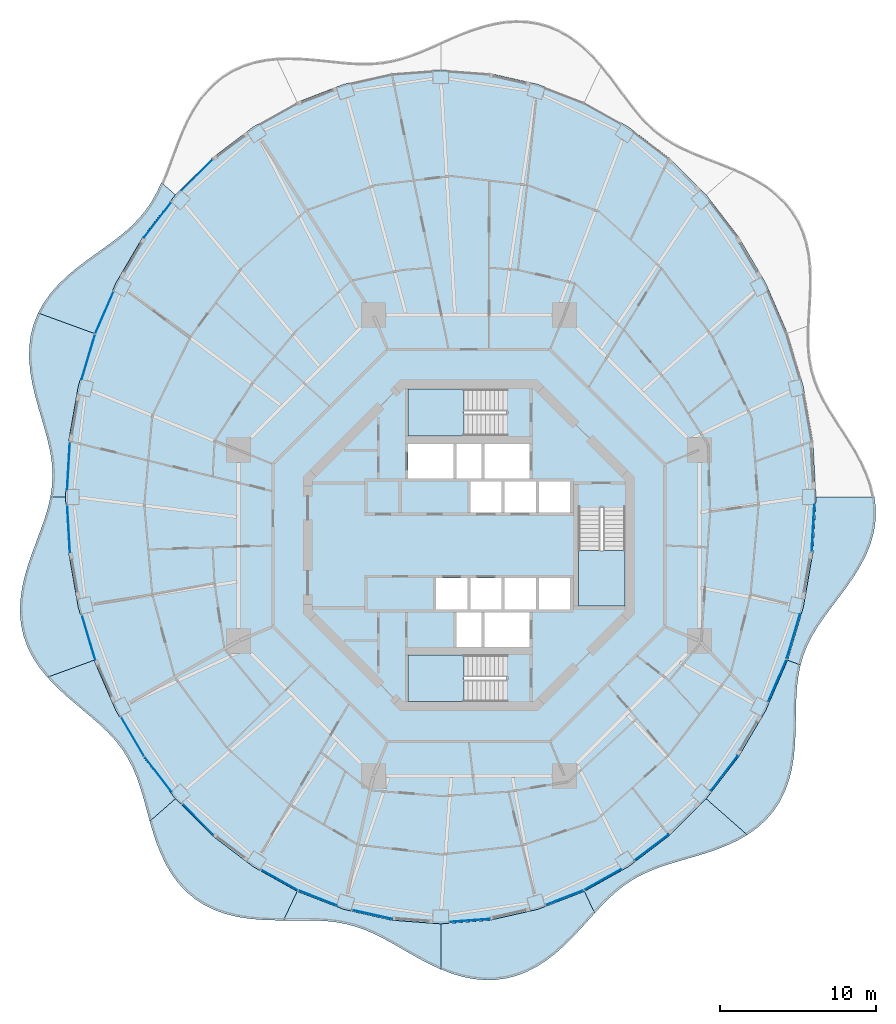
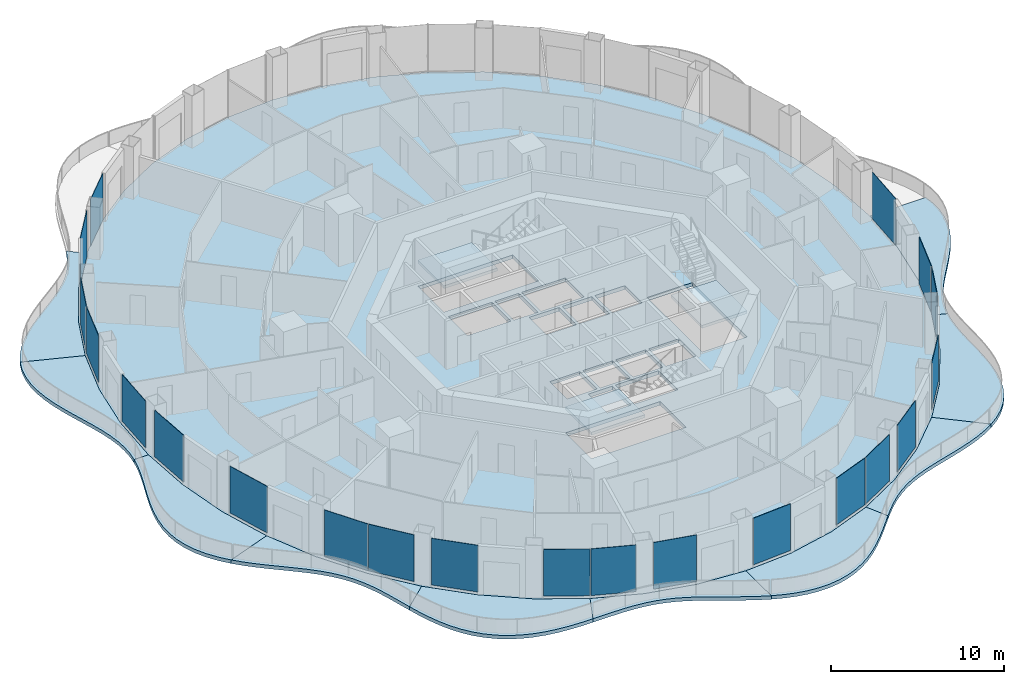
# One storey, part 8 of 18: 21 plates, 14 slabs, 24 elements without a shape of their own.
"""IFC4 building model written with IfcOpenShell, lengths in metres."""

from ifc_helpers import new_model, si_unit, direction, frame, origin, origin_2d, place, context, subcontext, project, spatial, polyline, rectangle, outline, extrude, material, layer, layer_set, type_object, element, aggregate, save


model = new_model("IFC4")

# Units and contexts
model_context = context("Model", 3, precision=1e-05, world=origin(), true_north=direction((0.0, 1.0)))
body_context = subcontext(model_context, "Body", "Model", "MODEL_VIEW")
ifc_project = project(units=[si_unit("LENGTHUNIT", "METRE"), si_unit("AREAUNIT", "SQUARE_METRE"), si_unit("VOLUMEUNIT", "CUBIC_METRE"), si_unit("PLANEANGLEUNIT", "RADIAN"), si_unit("MASSUNIT", "GRAM", prefix="KILO")], contexts=[model_context])

# Site, building, storey
site_placement = place(None, origin())
site = spatial("IfcSite", under=ifc_project, at=site_placement, CompositionType="ELEMENT")
building_placement = place(site_placement, origin())
building = spatial("IfcBuilding", under=site, at=building_placement, Name="Nagisa Residences", CompositionType="ELEMENT")
storey_placement = place(building_placement, frame((0.0, 0.0, 241.800048828125)))
storey = spatial("IfcBuildingStorey", under=building, at=storey_placement, Name="L61", CompositionType="ELEMENT", Elevation=241.800048828125)

# Slabs
ifc_material_1 = material(Name="Concrete C40/50", Category="concrete")
ifc_layer_1 = layer(ifc_material_1, 0.25)
ifc_layer_set_1 = layer_set([ifc_layer_1], Name="BALCONY SLAB 250")
slab_type_1 = type_object("IfcSlabType", Name="BALCONY SLAB 250", PredefinedType="FLOOR", material=ifc_layer_set_1)
slab_1_placement = place(storey_placement, frame((0.0, 0.0, -0.25)))
element("IfcSlab", 1, at=slab_1_placement, inside=storey, type_object=slab_type_1, Name="slab:L61:bal06", PredefinedType="FLOOR", context=body_context, shape_type="SweptSolid", body=[
    extrude(outline(polyline([(-19.71728515625, 23.273681640625), (-20.015869140625, 22.640625), (-20.349365234375, 22.046875), (-20.725830078125, 21.4921875), (-21.150146484375, 20.97412109375), (-21.623779296875, 20.48779296875), (-22.145263671875, 20.026123046875), (-22.708984375, 19.580322265625), (-23.306396484375, 19.141357421875), (-23.925537109375, 18.69921875), (-24.552978515625, 18.244873046875), (-25.173095703125, 17.76953125), (-25.769775390625, 17.266845703125), (-26.326904296875, 16.731201171875), (-26.829833984375, 16.159423828125), (-27.265869140625, 15.55029296875), (-27.624267578125, 14.90478515625), (-24.037841796875, 13.599365234375), (-22.645263671875, 16.812744140625), (-20.89599609375, 19.791748046875), (-18.820068359375, 22.4853515625), (-19.71728515625, 23.273681640625)])), origin(), (0.0, 0.0, 1.0), 0.25),
])
slab_2_placement = place(storey_placement, frame((0.0, 0.0, -0.25)))
element("IfcSlab", 2, at=slab_2_placement, inside=storey, type_object=slab_type_1, Name="slab:L61:bal07", PredefinedType="FLOOR", context=body_context, shape_type="SweptSolid", body=[
    extrude(outline(polyline([(-27.624267578125, 14.90478515625), (-27.905517578125, 14.203857421875), (-28.09326171875, 13.47216796875), (-28.188720703125, 12.7158203125), (-28.19677734375, 11.9423828125), (-28.12744140625, 11.158935546875), (-27.99365234375, 10.373291015625), (-27.8115234375, 9.591552734375), (-27.599365234375, 8.819580078125), (-27.3759765625, 8.060791015625), (-27.16064453125, 7.31787109375), (-26.97119140625, 6.59130859375), (-26.82275390625, 5.8798828125), (-26.728271484375, 5.18115234375), (-26.69580078125, 4.49072265625), (-26.7294921875, 3.8046875), (-26.829345703125, 3.11767578125), (-25.8701171875, 3.11767578125), (-25.6640625, 6.69287109375), (-25.0498046875, 10.206787109375), (-24.037841796875, 13.599365234375), (-27.624267578125, 14.90478515625)])), origin(), (0.0, 0.0, 1.0), 0.25),
])
slab_3_placement = place(storey_placement, frame((0.0, 0.0, -0.25)))
element("IfcSlab", 3, at=slab_3_placement, inside=storey, type_object=slab_type_1, Name="slab:L61:bal08", PredefinedType="FLOOR", context=body_context, shape_type="SweptSolid", body=[
    extrude(outline(polyline([(-26.829345703125, 3.11767578125), (-26.989501953125, 2.425048828125), (-27.201416015625, 1.722900390625), (-27.451171875, 1.0078125), (-27.72314453125, 0.27783203125), (-27.9990234375, -0.466796875), (-28.25927734375, -1.22509765625), (-28.48486328125, -1.99365234375), (-28.65771484375, -2.768310546875), (-28.76220703125, -3.54296875), (-28.78564453125, -4.3115234375), (-28.718994140625, -5.067138671875), (-28.557861328125, -5.802978515625), (-28.30224609375, -6.51318359375), (-27.956298828125, -7.193603515625), (-27.52880859375, -7.8408203125), (-27.031982421875, -8.453857421875), (-24.037841796875, -7.364013671875), (-25.0498046875, -3.971435546875), (-25.6640625, -0.45751953125), (-25.8701171875, 3.11767578125), (-26.829345703125, 3.11767578125)])), origin(), (0.0, 0.0, 1.0), 0.25),
])
slab_4_placement = place(storey_placement, frame((0.0, 0.0, -0.25)))
element("IfcSlab", 4, at=slab_4_placement, inside=storey, type_object=slab_type_1, Name="slab:L61:bal09", PredefinedType="FLOOR", context=body_context, shape_type="SweptSolid", body=[
    extrude(outline(polyline([(-27.031982421875, -8.453857421875), (-26.498779296875, -9.016357421875), (-25.930419921875, -9.551025390625), (-25.343505859375, -10.06201171875), (-24.75439453125, -10.55615234375), (-24.178466796875, -11.041259765625), (-23.629638671875, -11.525146484375), (-23.119140625, -12.01708984375), (-22.6552734375, -12.525390625), (-22.24267578125, -13.0576171875), (-21.882080078125, -13.6201171875), (-21.571533203125, -14.216796875), (-21.30419921875, -14.849609375), (-21.07177734375, -15.518310546875), (-20.862548828125, -16.21923828125), (-20.6630859375, -16.9462890625), (-20.459716796875, -17.69091796875), (-18.820068359375, -16.25), (-20.89599609375, -13.556396484375), (-22.645263671875, -10.577392578125), (-24.037841796875, -7.364013671875), (-27.031982421875, -8.453857421875)])), origin(), (0.0, 0.0, 1.0), 0.25),
])
slab_5_placement = place(storey_placement, frame((0.0, 0.0, -0.25)))
element("IfcSlab", 5, at=slab_5_placement, inside=storey, type_object=slab_type_1, Name="slab:L61:bal10", PredefinedType="FLOOR", context=body_context, shape_type="SweptSolid", body=[
    extrude(outline(polyline([(-20.459716796875, -17.69091796875), (-20.249267578125, -18.407470703125), (-20.010986328125, -19.11962890625), (-19.734130859375, -19.81640625), (-19.410400390625, -20.485595703125), (-19.033447265625, -21.115966796875), (-18.599365234375, -21.697021484375), (-18.106689453125, -22.219970703125), (-17.556884765625, -22.677978515625), (-16.953857421875, -23.066162109375), (-16.302978515625, -23.3828125), (-15.6123046875, -23.629638671875), (-14.890869140625, -23.81005859375), (-14.14794921875, -23.931640625), (-13.3935546875, -24.00341796875), (-12.63720703125, -24.037109375), (-11.886962890625, -24.04541015625), (-11.01123046875, -22.187255859375), (-13.8349609375, -20.602783203125), (-16.452880859375, -18.6123046875), (-18.820068359375, -16.25), (-20.459716796875, -17.69091796875)])), origin(), (0.0, 0.0, 1.0), 0.25),
])
slab_6_placement = place(storey_placement, frame((0.0, 0.0, -0.25)))
element("IfcSlab", 6, at=slab_6_placement, inside=storey, type_object=slab_type_1, Name="slab:L61:bal11", PredefinedType="FLOOR", context=body_context, shape_type="SweptSolid", body=[
    extrude(outline(polyline([(-11.886962890625, -24.04541015625), (-11.17626953125, -24.04248046875), (-10.482666015625, -24.041259765625), (-9.808837890625, -24.0537109375), (-9.15625, -24.0908203125), (-8.524169921875, -24.16162109375), (-7.91064453125, -24.272705078125), (-7.31201171875, -24.4287109375), (-6.723388671875, -24.630859375), (-6.14013671875, -24.877685546875), (-5.55615234375, -25.164794921875), (-4.96630859375, -25.48486328125), (-4.365966796875, -25.828369140625), (-3.7509765625, -26.18359375), (-3.118896484375, -26.537353515625), (-2.468505859375, -26.87548828125), (-1.800048828125, -27.184326171875), (-1.800048828125, -24.272216796875), (-4.941650390625, -24.0380859375), (-8.02978515625, -23.339111328125), (-11.01123046875, -22.187255859375), (-11.886962890625, -24.04541015625)])), origin(), (0.0, 0.0, 1.0), 0.25),
])
slab_7_placement = place(storey_placement, frame((0.0, 0.0, -0.25)))
element("IfcSlab", 7, at=slab_7_placement, inside=storey, type_object=slab_type_1, Name="slab:L61:bal12", PredefinedType="FLOOR", context=body_context, shape_type="SweptSolid", body=[
    extrude(outline(polyline([(-1.800048828125, -27.184326171875), (-1.115478515625, -27.44970703125), (-0.41796875, -27.6591796875), (0.287841796875, -27.802734375), (0.99658203125, -27.871337890625), (1.701904296875, -27.859619140625), (2.39794921875, -27.76513671875), (3.078369140625, -27.587890625), (3.738037109375, -27.331298828125), (4.372802734375, -27.001953125), (4.9794921875, -26.6083984375), (5.556396484375, -26.16162109375), (6.1044921875, -25.673828125), (6.625244140625, -25.15869140625), (7.12255859375, -24.629638671875), (7.6015625, -24.099853515625), (8.068359375, -23.58154296875), (7.4111328125, -22.187255859375), (4.4296875, -23.339111328125), (1.341796875, -24.0380859375), (-1.800048828125, -24.272216796875), (-1.800048828125, -27.184326171875)])), origin(), (0.0, 0.0, 1.0), 0.25),
])
slab_8_placement = place(storey_placement, frame((0.0, 0.0, -0.25)))
element("IfcSlab", 8, at=slab_8_placement, inside=storey, type_object=slab_type_1, Name="slab:L61:bal13", PredefinedType="FLOOR", context=body_context, shape_type="SweptSolid", body=[
    extrude(outline(polyline([(8.068359375, -23.58154296875), (8.547607421875, -23.067626953125), (9.029541015625, -22.58740234375), (9.522705078125, -22.14794921875), (10.0341796875, -21.753173828125), (10.57080078125, -21.40380859375), (11.13671875, -21.09814453125), (11.73486328125, -20.830810546875), (12.364990234375, -20.5947265625), (13.025146484375, -20.38037109375), (13.71044921875, -20.177001953125), (14.4140625, -19.972900390625), (15.127197265625, -19.756591796875), (15.83935546875, -19.516845703125), (16.5390625, -19.24365234375), (17.214111328125, -18.92822265625), (17.853515625, -18.564208984375), (15.219970703125, -16.25), (12.852783203125, -18.6123046875), (10.235107421875, -20.602783203125), (7.4111328125, -22.187255859375), (8.068359375, -23.58154296875)])), origin(), (0.0, 0.0, 1.0), 0.25),
])
slab_9_placement = place(storey_placement, frame((0.0, 0.0, -0.25)))
element("IfcSlab", 9, at=slab_9_placement, inside=storey, type_object=slab_type_1, Name="slab:L61:bal14", PredefinedType="FLOOR", context=body_context, shape_type="SweptSolid", body=[
    extrude(outline(polyline([(17.853515625, -18.564208984375), (18.4736328125, -18.125), (19.031494140625, -17.625244140625), (19.518798828125, -17.065673828125), (19.930419921875, -16.44970703125), (20.2646484375, -15.783203125), (20.522705078125, -15.073974609375), (20.71044921875, -14.33154296875), (20.8359375, -13.566162109375), (20.9111328125, -12.7880859375), (20.949462890625, -12.007568359375), (20.96630859375, -11.2333984375), (20.97802734375, -10.4736328125), (21.000244140625, -9.734130859375), (21.047607421875, -9.01904296875), (21.133544921875, -8.32958984375), (21.267822265625, -7.666259765625), (20.437744140625, -7.364013671875), (19.045166015625, -10.577392578125), (17.2958984375, -13.556396484375), (15.219970703125, -16.25), (17.853515625, -18.564208984375)])), origin(), (0.0, 0.0, 1.0), 0.25),
])
slab_10_placement = place(storey_placement, frame((0.0, 0.0, -0.25)))
element("IfcSlab", 10, at=slab_10_placement, inside=storey, type_object=slab_type_1, Name="slab:L61:bal15", PredefinedType="FLOOR", context=body_context, shape_type="SweptSolid", body=[
    extrude(outline(polyline([(21.267822265625, -7.666259765625), (21.46484375, -7.006103515625), (21.72412109375, -6.3671875), (22.045166015625, -5.74365234375), (22.422607421875, -5.12890625), (22.8466796875, -4.51611328125), (23.304443359375, -3.89892578125), (23.779541015625, -3.271240234375), (24.25390625, -2.62841796875), (24.70849609375, -1.967041015625), (25.124267578125, -1.285400390625), (25.4833984375, -0.583740234375), (25.7705078125, 0.135986328125), (25.97314453125, 0.870849609375), (26.08251953125, 1.616455078125), (26.094970703125, 2.3671875), (26.0107421875, 3.11767578125), (22.27001953125, 3.11767578125), (22.06396484375, -0.45751953125), (21.449951171875, -3.971435546875), (20.437744140625, -7.364013671875), (21.267822265625, -7.666259765625)])), origin(), (0.0, 0.0, 1.0), 0.25),
])

# Curtain wall, plate
ifc_material_2 = material(Name="Concrete-coloured aluminium curtain wall system", Category="concrete")
ifc_layer_2 = layer(ifc_material_2, 0.159912109375)
ifc_layer_set_2 = layer_set([ifc_layer_2], Name="CW1 CURTAIN WALL")
curtain_wall_type = type_object("IfcCurtainWallType", Name="CW1 CURTAIN WALL", PredefinedType="NOTDEFINED", material=ifc_layer_set_2)
curtain_wall_1_placement = place(storey_placement, origin())
curtain_wall_1 = element("IfcCurtainWall", 11, at=curtain_wall_1_placement, inside=storey, type_object=curtain_wall_type, Name="cw:CW1:L61:17", PredefinedType="NOTDEFINED")
ifc_material_3 = material(Name="Clear laminated glass", Category="glass")
ifc_layer_3 = layer(ifc_material_3, 0.028076171875)
ifc_layer_set_3 = layer_set([ifc_layer_3], Name="CW1 GLASS PANEL")
plate_type = type_object("IfcPlateType", Name="CW1 GLASS PANEL", PredefinedType="CURTAIN_PANEL", material=ifc_layer_set_3)
plate_1_placement = place(storey_placement, frame((-17.42431640625, 23.765380859375, 0.14990234375), z_axis=(0.0, 0.0, 1.0), x_axis=(-0.707835924016, -0.706376885714, 0.0)))
plate_1 = element("IfcPlate", 12, at=plate_1_placement, type_object=plate_type, Name="CW1 panel", PredefinedType="CURTAIN_PANEL", context=body_context, shape_type="SweptSolid", body=[
    extrude(rectangle(XDim=2.7841796875, YDim=0.028076171875, at=origin_2d()), origin(), (0.0, 0.0, 1.0), 3.2900390625),
])
aggregate(curtain_wall_1, [plate_1])

curtain_wall_2_placement = place(storey_placement, origin())
curtain_wall_2 = element("IfcCurtainWall", 13, at=curtain_wall_2_placement, inside=storey, type_object=curtain_wall_type, Name="cw:CW1:L61:18", PredefinedType="NOTDEFINED")
plate_2_placement = place(storey_placement, frame((-19.965576171875, 20.867919921875, 0.14990234375), z_axis=(0.0, 0.0, 1.0), x_axis=(-0.610429828235, -0.792070340816, 0.0)))
plate_2 = element("IfcPlate", 14, at=plate_2_placement, type_object=plate_type, Name="CW1 panel", PredefinedType="CURTAIN_PANEL", context=body_context, shape_type="SweptSolid", body=[
    extrude(rectangle(XDim=2.8408203125, YDim=0.028076171875, at=origin_2d()), origin(), (0.0, 0.0, 1.0), 3.2900390625),
])
aggregate(curtain_wall_2, [plate_2])

curtain_wall_3_placement = place(storey_placement, origin())
curtain_wall_3 = element("IfcCurtainWall", 15, at=curtain_wall_3_placement, inside=storey, type_object=curtain_wall_type, Name="cw:CW1:L61:20", PredefinedType="NOTDEFINED")
plate_3_placement = place(storey_placement, frame((-23.37939453125, 14.917236328125, 0.14990234375), z_axis=(0.0, 0.0, 1.0), x_axis=(-0.397635934147, -0.917543276295, 0.0)))
plate_3 = element("IfcPlate", 16, at=plate_3_placement, type_object=plate_type, Name="CW1 panel", PredefinedType="CURTAIN_PANEL", context=body_context, shape_type="SweptSolid", body=[
    extrude(rectangle(XDim=2.942138671875, YDim=0.028076171875, at=origin_2d()), origin(), (0.0, 0.0, 1.0), 3.2900390625),
])
aggregate(curtain_wall_3, [plate_3])

curtain_wall_4_placement = place(storey_placement, origin())
curtain_wall_4 = element("IfcCurtainWall", 17, at=curtain_wall_4_placement, inside=storey, type_object=curtain_wall_type, Name="cw:CW1:L61:21", PredefinedType="NOTDEFINED")
plate_4_placement = place(storey_placement, frame((-24.404296875, 12.091064453125, 0.14990234375), z_axis=(0.0, 0.0, 1.0), x_axis=(-0.285860274038, -0.958271310082, 0.0)))
plate_4 = element("IfcPlate", 18, at=plate_4_placement, type_object=plate_type, Name="CW1 panel", PredefinedType="CURTAIN_PANEL", context=body_context, shape_type="SweptSolid", body=[
    extrude(rectangle(XDim=2.98046875, YDim=0.028076171875, at=origin_2d()), origin(), (0.0, 0.0, 1.0), 3.2900390625),
])
aggregate(curtain_wall_4, [plate_4])

curtain_wall_5_placement = place(storey_placement, origin())
curtain_wall_5 = element("IfcCurtainWall", 19, at=curtain_wall_5_placement, inside=storey, type_object=curtain_wall_type, Name="cw:CW1:L61:23", PredefinedType="NOTDEFINED")
plate_5_placement = place(storey_placement, frame((-25.674560546875, 5.120361328125, 0.14990234375), z_axis=(0.0, 0.0, 1.0), x_axis=(-0.057503492216, -0.998345305184, 0.0)))
plate_5 = element("IfcPlate", 20, at=plate_5_placement, type_object=plate_type, Name="CW1 panel", PredefinedType="CURTAIN_PANEL", context=body_context, shape_type="SweptSolid", body=[
    extrude(rectangle(XDim=3.02099609375, YDim=0.028076171875, at=origin_2d()), origin(), (0.0, 0.0, 1.0), 3.2900390625),
])
aggregate(curtain_wall_5, [plate_5])

curtain_wall_6_placement = place(storey_placement, origin())
curtain_wall_6 = element("IfcCurtainWall", 21, at=curtain_wall_6_placement, inside=storey, type_object=curtain_wall_type, Name="cw:CW1:L61:24", PredefinedType="NOTDEFINED")
plate_6_placement = place(storey_placement, frame((-25.671142578125, 1.05517578125, 0.14990234375), z_axis=(0.0, 0.0, 1.0), x_axis=(0.057503492216, -0.998345305184, 0.0)))
plate_6 = element("IfcPlate", 22, at=plate_6_placement, type_object=plate_type, Name="CW1 panel", PredefinedType="CURTAIN_PANEL", context=body_context, shape_type="SweptSolid", body=[
    extrude(rectangle(XDim=3.02099609375, YDim=0.028076171875, at=origin_2d()), origin(), (0.0, 0.0, 1.0), 3.2900390625),
])
aggregate(curtain_wall_6, [plate_6])

curtain_wall_7_placement = place(storey_placement, origin())
curtain_wall_7 = element("IfcCurtainWall", 23, at=curtain_wall_7_placement, inside=storey, type_object=curtain_wall_type, Name="cw:CW1:L61:26", PredefinedType="NOTDEFINED")
plate_7_placement = place(storey_placement, frame((-24.38720703125, -5.9130859375, 0.14990234375), z_axis=(0.0, 0.0, 1.0), x_axis=(0.285860274038, -0.958271310082, 0.0)))
plate_7 = element("IfcPlate", 24, at=plate_7_placement, type_object=plate_type, Name="CW1 panel", PredefinedType="CURTAIN_PANEL", context=body_context, shape_type="SweptSolid", body=[
    extrude(rectangle(XDim=2.98046875, YDim=0.028076171875, at=origin_2d()), origin(), (0.0, 0.0, 1.0), 3.2900390625),
])
aggregate(curtain_wall_7, [plate_7])

curtain_wall_8_placement = place(storey_placement, origin())
curtain_wall_8 = element("IfcCurtainWall", 25, at=curtain_wall_8_placement, inside=storey, type_object=curtain_wall_type, Name="cw:CW1:L61:28", PredefinedType="NOTDEFINED")
plate_8_placement = place(storey_placement, frame((-21.559814453125, -12.267822265625, 0.14990234375), z_axis=(0.0, 0.0, 1.0), x_axis=(0.506348567002, -0.862328898214, 0.0)))
plate_8 = element("IfcPlate", 26, at=plate_8_placement, type_object=plate_type, Name="CW1 panel", PredefinedType="CURTAIN_PANEL", context=body_context, shape_type="SweptSolid", body=[
    extrude(rectangle(XDim=2.89453125, YDim=0.028076171875, at=origin_2d()), origin(), (0.0, 0.0, 1.0), 3.2900390625),
])
aggregate(curtain_wall_8, [plate_8])

curtain_wall_9_placement = place(storey_placement, origin())
curtain_wall_9 = element("IfcCurtainWall", 27, at=curtain_wall_9_placement, inside=storey, type_object=curtain_wall_type, Name="cw:CW1:L61:29", PredefinedType="NOTDEFINED")
plate_9_placement = place(storey_placement, frame((-19.928955078125, -14.679931640625, 0.14990234375), z_axis=(0.0, 0.0, 1.0), x_axis=(0.610429828235, -0.792070340816, 0.0)))
plate_9 = element("IfcPlate", 28, at=plate_9_placement, type_object=plate_type, Name="CW1 panel", PredefinedType="CURTAIN_PANEL", context=body_context, shape_type="SweptSolid", body=[
    extrude(rectangle(XDim=2.8408203125, YDim=0.028076171875, at=origin_2d()), origin(), (0.0, 0.0, 1.0), 3.2900390625),
])
aggregate(curtain_wall_9, [plate_9])

curtain_wall_10_placement = place(storey_placement, origin())
curtain_wall_10 = element("IfcCurtainWall", 29, at=curtain_wall_10_placement, inside=storey, type_object=curtain_wall_type, Name="cw:CW1:L61:30", PredefinedType="NOTDEFINED")
plate_10_placement = place(storey_placement, frame((-17.3818359375, -17.572265625, 0.14990234375), z_axis=(0.0, 0.0, 1.0), x_axis=(0.707835924016, -0.706376885714, 0.0)))
plate_10 = element("IfcPlate", 30, at=plate_10_placement, type_object=plate_type, Name="CW1 panel", PredefinedType="CURTAIN_PANEL", context=body_context, shape_type="SweptSolid", body=[
    extrude(rectangle(XDim=2.7841796875, YDim=0.028076171875, at=origin_2d()), origin(), (0.0, 0.0, 1.0), 3.2900390625),
])
aggregate(curtain_wall_10, [plate_10])

curtain_wall_11_placement = place(storey_placement, origin())
curtain_wall_11 = element("IfcCurtainWall", 31, at=curtain_wall_11_placement, inside=storey, type_object=curtain_wall_type, Name="cw:CW1:L61:32", PredefinedType="NOTDEFINED")
plate_11_placement = place(storey_placement, frame((-12.1396484375, -21.46240234375, 0.14990234375), z_axis=(0.0, 0.0, 1.0), x_axis=(0.872072377523, -0.489376918501, 0.0)))
plate_11 = element("IfcPlate", 32, at=plate_11_placement, type_object=plate_type, Name="CW1 panel", PredefinedType="CURTAIN_PANEL", context=body_context, shape_type="SweptSolid", body=[
    extrude(rectangle(XDim=2.677978515625, YDim=0.028076171875, at=origin_2d()), origin(), (0.0, 0.0, 1.0), 3.2900390625),
])
aggregate(curtain_wall_11, [plate_11])

curtain_wall_12_placement = place(storey_placement, origin())
curtain_wall_12 = element("IfcCurtainWall", 33, at=curtain_wall_12_placement, inside=storey, type_object=curtain_wall_type, Name="cw:CW1:L61:33", PredefinedType="NOTDEFINED")
plate_12_placement = place(storey_placement, frame((-9.69677734375, -22.609375, 0.14990234375), z_axis=(0.0, 0.0, 1.0), x_axis=(0.932825759707, -0.360327770268, 0.0)))
plate_12 = element("IfcPlate", 34, at=plate_12_placement, type_object=plate_type, Name="CW1 panel", PredefinedType="CURTAIN_PANEL", context=body_context, shape_type="SweptSolid", body=[
    extrude(rectangle(XDim=2.63623046875, YDim=0.028076171875, at=origin_2d()), origin(), (0.0, 0.0, 1.0), 3.2900390625),
])
aggregate(curtain_wall_12, [plate_12])

curtain_wall_13_placement = place(storey_placement, origin())
curtain_wall_13 = element("IfcCurtainWall", 35, at=curtain_wall_13_placement, inside=storey, type_object=curtain_wall_type, Name="cw:CW1:L61:34", PredefinedType="NOTDEFINED")
plate_13_placement = place(storey_placement, frame((-6.195068359375, -23.67236328125, 0.14990234375), z_axis=(0.0, 0.0, 1.0), x_axis=(0.975327274089, -0.2207639201, 0.0)))
plate_13 = element("IfcPlate", 36, at=plate_13_placement, type_object=plate_type, Name="CW1 panel", PredefinedType="CURTAIN_PANEL", context=body_context, shape_type="SweptSolid", body=[
    extrude(rectangle(XDim=2.606201171875, YDim=0.028076171875, at=origin_2d()), origin(), (0.0, 0.0, 1.0), 3.2900390625),
])
aggregate(curtain_wall_13, [plate_13])

curtain_wall_14_placement = place(storey_placement, origin())
curtain_wall_14 = element("IfcCurtainWall", 37, at=curtain_wall_14_placement, inside=storey, type_object=curtain_wall_type, Name="cw:CW1:L61:36", PredefinedType="NOTDEFINED")
plate_14_placement = place(storey_placement, frame((0.044189453125, -24.054443359375, 0.14990234375), z_axis=(0.0, 0.0, 1.0), x_axis=(0.997230168512, 0.074377355493, 0.0)))
plate_14 = element("IfcPlate", 38, at=plate_14_placement, type_object=plate_type, Name="CW1 panel", PredefinedType="CURTAIN_PANEL", context=body_context, shape_type="SweptSolid", body=[
    extrude(rectangle(XDim=2.590576171875, YDim=0.028076171875, at=origin_2d()), origin(), (0.0, 0.0, 1.0), 3.2900390625),
])
aggregate(curtain_wall_14, [plate_14])

curtain_wall_15_placement = place(storey_placement, origin())
curtain_wall_15 = element("IfcCurtainWall", 39, at=curtain_wall_15_placement, inside=storey, type_object=curtain_wall_type, Name="cw:CW1:L61:38", PredefinedType="NOTDEFINED")
plate_15_placement = place(storey_placement, frame((6.15283203125, -22.587646484375, 0.14990234375), z_axis=(0.0, 0.0, 1.0), x_axis=(0.932825759707, 0.360327770268, 0.0)))
plate_15 = element("IfcPlate", 40, at=plate_15_placement, type_object=plate_type, Name="CW1 panel", PredefinedType="CURTAIN_PANEL", context=body_context, shape_type="SweptSolid", body=[
    extrude(rectangle(XDim=2.63623046875, YDim=0.028076171875, at=origin_2d()), origin(), (0.0, 0.0, 1.0), 3.2900390625),
])
aggregate(curtain_wall_15, [plate_15])

curtain_wall_16_placement = place(storey_placement, origin())
curtain_wall_16 = element("IfcCurtainWall", 41, at=curtain_wall_16_placement, inside=storey, type_object=curtain_wall_type, Name="cw:CW1:L61:39", PredefinedType="NOTDEFINED")
plate_16_placement = place(storey_placement, frame((8.592041015625, -21.432861328125, 0.14990234375), z_axis=(0.0, 0.0, 1.0), x_axis=(0.872072377523, 0.489376918501, 0.0)))
plate_16 = element("IfcPlate", 42, at=plate_16_placement, type_object=plate_type, Name="CW1 panel", PredefinedType="CURTAIN_PANEL", context=body_context, shape_type="SweptSolid", body=[
    extrude(rectangle(XDim=2.677978515625, YDim=0.028076171875, at=origin_2d()), origin(), (0.0, 0.0, 1.0), 3.2900390625),
])
aggregate(curtain_wall_16, [plate_16])

curtain_wall_17_placement = place(storey_placement, origin())
curtain_wall_17 = element("IfcCurtainWall", 43, at=curtain_wall_17_placement, inside=storey, type_object=curtain_wall_type, Name="cw:CW1:L61:40", PredefinedType="NOTDEFINED")
plate_17_placement = place(storey_placement, frame((11.718505859375, -19.374267578125, 0.14990234375), z_axis=(0.0, 0.0, 1.0), x_axis=(0.79603132756, 0.605255421737, 0.0)))
plate_17 = element("IfcPlate", 44, at=plate_17_placement, type_object=plate_type, Name="CW1 panel", PredefinedType="CURTAIN_PANEL", context=body_context, shape_type="SweptSolid", body=[
    extrude(rectangle(XDim=2.728759765625, YDim=0.028076171875, at=origin_2d()), origin(), (0.0, 0.0, 1.0), 3.2900390625),
])
aggregate(curtain_wall_17, [plate_17])

curtain_wall_18_placement = place(storey_placement, origin())
curtain_wall_18 = element("IfcCurtainWall", 45, at=curtain_wall_18_placement, inside=storey, type_object=curtain_wall_type, Name="cw:CW1:L61:42", PredefinedType="NOTDEFINED")
plate_18_placement = place(storey_placement, frame((16.365478515625, -14.632568359375, 0.14990234375), z_axis=(0.0, 0.0, 1.0), x_axis=(0.610429828235, 0.792070340816, 0.0)))
plate_18 = element("IfcPlate", 46, at=plate_18_placement, type_object=plate_type, Name="CW1 panel", PredefinedType="CURTAIN_PANEL", context=body_context, shape_type="SweptSolid", body=[
    extrude(rectangle(XDim=2.8408203125, YDim=0.028076171875, at=origin_2d()), origin(), (0.0, 0.0, 1.0), 3.2900390625),
])
aggregate(curtain_wall_18, [plate_18])

curtain_wall_19_placement = place(storey_placement, origin())
curtain_wall_19 = element("IfcCurtainWall", 47, at=curtain_wall_19_placement, inside=storey, type_object=curtain_wall_type, Name="cw:CW1:L61:44", PredefinedType="NOTDEFINED")
plate_19_placement = place(storey_placement, frame((19.779541015625, -8.681884765625, 0.14990234375), z_axis=(0.0, 0.0, 1.0), x_axis=(0.397635934147, 0.917543276295, 0.0)))
plate_19 = element("IfcPlate", 48, at=plate_19_placement, type_object=plate_type, Name="CW1 panel", PredefinedType="CURTAIN_PANEL", context=body_context, shape_type="SweptSolid", body=[
    extrude(rectangle(XDim=2.942138671875, YDim=0.028076171875, at=origin_2d()), origin(), (0.0, 0.0, 1.0), 3.2900390625),
])
aggregate(curtain_wall_19, [plate_19])

curtain_wall_20_placement = place(storey_placement, origin())
curtain_wall_20 = element("IfcCurtainWall", 49, at=curtain_wall_20_placement, inside=storey, type_object=curtain_wall_type, Name="cw:CW1:L61:45", PredefinedType="NOTDEFINED")
plate_20_placement = place(storey_placement, frame((20.80419921875, -5.855712890625, 0.14990234375), z_axis=(0.0, 0.0, 1.0), x_axis=(0.285860274038, 0.958271310082, 0.0)))
plate_20 = element("IfcPlate", 50, at=plate_20_placement, type_object=plate_type, Name="CW1 panel", PredefinedType="CURTAIN_PANEL", context=body_context, shape_type="SweptSolid", body=[
    extrude(rectangle(XDim=2.98046875, YDim=0.028076171875, at=origin_2d()), origin(), (0.0, 0.0, 1.0), 3.2900390625),
])
aggregate(curtain_wall_20, [plate_20])

curtain_wall_21_placement = place(storey_placement, origin())
curtain_wall_21 = element("IfcCurtainWall", 51, at=curtain_wall_21_placement, inside=storey, type_object=curtain_wall_type, Name="cw:CW1:L61:47", PredefinedType="NOTDEFINED")
plate_21_placement = place(storey_placement, frame((22.074462890625, 1.114990234375, 0.14990234375), z_axis=(0.0, 0.0, 1.0), x_axis=(0.057503492216, 0.998345305184, 0.0)))
plate_21 = element("IfcPlate", 52, at=plate_21_placement, type_object=plate_type, Name="CW1 panel", PredefinedType="CURTAIN_PANEL", context=body_context, shape_type="SweptSolid", body=[
    extrude(rectangle(XDim=3.02099609375, YDim=0.028076171875, at=origin_2d()), origin(), (0.0, 0.0, 1.0), 3.2900390625),
])
aggregate(curtain_wall_21, [plate_21])

# Slab
ifc_material_4 = material(Name="Concrete C40", Category="concrete")
ifc_layer_4 = layer(ifc_material_4, 0.260009765625)
ifc_layer_set_4 = layer_set([ifc_layer_4], Name="Floor slab 260")
slab_type_2 = type_object("IfcSlabType", Name="Floor slab 260", PredefinedType="FLOOR", material=ifc_layer_set_4)
slab_11_placement = place(storey_placement, frame((0.0, 0.0, -0.260009765625)))
element("IfcSlab", 53, at=slab_11_placement, inside=storey, type_object=slab_type_2, Name="slab:L61:floor", PredefinedType="FLOOR", context=body_context, shape_type="SweptSolid", body=[
    extrude(outline(polyline([(22.27001953125, 3.11767578125), (22.06396484375, 6.69287109375), (21.449951171875, 10.206787109375), (20.437744140625, 13.599365234375), (19.045166015625, 16.812744140625), (17.2958984375, 19.791748046875), (15.219970703125, 22.4853515625), (12.852783203125, 24.84765625), (10.235107421875, 26.838134765625), (7.4111328125, 28.4228515625), (4.4296875, 29.574462890625), (1.341796875, 30.2734375), (-1.800048828125, 30.5078125), (-4.941650390625, 30.2734375), (-8.02978515625, 29.574462890625), (-11.01123046875, 28.4228515625), (-13.8349609375, 26.838134765625), (-16.452880859375, 24.84765625), (-18.820068359375, 22.4853515625), (-20.89599609375, 19.791748046875), (-22.645263671875, 16.812744140625), (-24.037841796875, 13.599365234375), (-25.0498046875, 10.206787109375), (-25.6640625, 6.69287109375), (-25.8701171875, 3.11767578125), (-25.6640625, -0.45751953125), (-25.0498046875, -3.971435546875), (-24.037841796875, -7.364013671875), (-22.645263671875, -10.577392578125), (-20.89599609375, -13.556396484375), (-18.820068359375, -16.25), (-16.452880859375, -18.6123046875), (-13.8349609375, -20.602783203125), (-11.01123046875, -22.187255859375), (-8.02978515625, -23.339111328125), (-4.941650390625, -24.0380859375), (-1.800048828125, -24.272216796875), (1.341796875, -24.0380859375), (4.4296875, -23.339111328125), (7.4111328125, -22.187255859375), (10.235107421875, -20.602783203125), (12.852783203125, -18.6123046875), (15.219970703125, -16.25), (17.2958984375, -13.556396484375), (19.045166015625, -10.577392578125), (20.437744140625, -7.364013671875), (21.449951171875, -3.971435546875), (22.06396484375, -0.45751953125), (22.27001953125, 3.11767578125)]), holes=[polyline([(2.10009765625, 2.10009765625), (2.10009765625, 4.10009765625), (0.10009765625, 4.10009765625), (0.10009765625, 2.10009765625), (2.10009765625, 2.10009765625)]), polyline([(4.300048828125, 2.10009765625), (4.300048828125, 4.10009765625), (2.300048828125, 4.10009765625), (2.300048828125, 2.10009765625), (4.300048828125, 2.10009765625)]), polyline([(6.5, 2.10009765625), (6.5, 4.10009765625), (4.5, 4.10009765625), (4.5, 2.10009765625), (6.5, 2.10009765625)]), polyline([(-0.10009765625, -4.10009765625), (-0.10009765625, -2.10009765625), (-2.10009765625, -2.10009765625), (-2.10009765625, -4.10009765625), (-0.10009765625, -4.10009765625)]), polyline([(2.10009765625, -4.10009765625), (2.10009765625, -2.10009765625), (0.10009765625, -2.10009765625), (0.10009765625, -4.10009765625), (2.10009765625, -4.10009765625)]), polyline([(4.300048828125, -4.10009765625), (4.300048828125, -2.10009765625), (2.300048828125, -2.10009765625), (2.300048828125, -4.10009765625), (4.300048828125, -4.10009765625)]), polyline([(6.5, -4.10009765625), (6.5, -2.10009765625), (4.5, -2.10009765625), (4.5, -4.10009765625), (6.5, -4.10009765625)]), polyline([(3.89990234375, 4.300048828125), (3.89990234375, 6.5), (1.0, 6.5), (1.0, 4.300048828125), (3.89990234375, 4.300048828125)]), polyline([(3.89990234375, -6.5), (3.89990234375, -4.300048828125), (1.0, -4.300048828125), (1.0, -6.5), (3.89990234375, -6.5)]), polyline([(-1.0, 4.300048828125), (-1.0, 6.5), (-3.89990234375, 6.5), (-3.89990234375, 4.300048828125), (-1.0, 4.300048828125)]), polyline([(0.800048828125, 4.300048828125), (0.800048828125, 6.5), (-0.800048828125, 6.5), (-0.800048828125, 4.300048828125), (0.800048828125, 4.300048828125)]), polyline([(0.800048828125, -6.5), (0.800048828125, -4.300048828125), (-0.800048828125, -4.300048828125), (-0.800048828125, -6.5), (0.800048828125, -6.5)]), polyline([(10.024658203125, -3.89990234375), (7.024658203125, -3.89990234375), (7.024658203125, 2.425048828125), (10.024658203125, 2.425048828125), (10.024658203125, -3.89990234375)]), polyline([(-3.89990234375, 7.024658203125), (-3.89990234375, 10.024658203125), (2.425048828125, 10.024658203125), (2.425048828125, 7.024658203125), (-3.89990234375, 7.024658203125)]), polyline([(-3.89990234375, -10.024658203125), (-3.89990234375, -7.024658203125), (2.425048828125, -7.024658203125), (2.425048828125, -10.024658203125), (-3.89990234375, -10.024658203125)])]), origin(), (0.0, 0.0, 1.0), 0.260009765625),
])

# Stair, slab
ifc_material_5 = material(Name="Concrete C60", Category="concrete")
stair_type = type_object("IfcStairType", Name="Exit stair", PredefinedType="HALF_TURN_STAIR", material=ifc_material_5)
stair_1_placement = place(storey_placement, origin())
stair_1 = element("IfcStair", 54, at=stair_1_placement, inside=storey, type_object=stair_type, Name="L61 Exit stair E", PredefinedType="HALF_TURN_STAIR")
ifc_material_6 = material(Name="Concrete C60", Category="concrete")
ifc_layer_5 = layer(ifc_material_6, 0.199951171875)
ifc_layer_set_5 = layer_set([ifc_layer_5], Name="Stair landing")
slab_type_3 = type_object("IfcSlabType", Name="Stair landing", PredefinedType="LANDING", material=ifc_layer_set_5)
slab_12_placement = place(storey_placement, frame((0.0, 0.0, 1.64990234375)))
slab_12 = element("IfcSlab", 55, at=slab_12_placement, type_object=slab_type_3, Name="ST-E landing 1", PredefinedType="LANDING", context=body_context, shape_type="SweptSolid", body=[
    extrude(outline(polyline([(7.024658203125, -0.324951171875), (7.024658203125, -3.89990234375), (10.024658203125, -3.89990234375), (10.024658203125, -0.324951171875), (7.024658203125, -0.324951171875)])), origin(), (0.0, 0.0, 1.0), 0.199951171875),
])
aggregate(stair_1, [slab_12])

stair_2_placement = place(storey_placement, origin())
stair_2 = element("IfcStair", 56, at=stair_2_placement, inside=storey, type_object=stair_type, Name="L61 Exit stair N", PredefinedType="HALF_TURN_STAIR")
slab_13_placement = place(storey_placement, frame((0.0, 0.0, 1.64990234375)))
slab_13 = element("IfcSlab", 57, at=slab_13_placement, type_object=slab_type_3, Name="ST-N landing 1", PredefinedType="LANDING", context=body_context, shape_type="SweptSolid", body=[
    extrude(outline(polyline([(-0.324951171875, 10.024658203125), (-3.89990234375, 10.024658203125), (-3.89990234375, 7.024658203125), (-0.324951171875, 7.024658203125), (-0.324951171875, 10.024658203125)])), origin(), (0.0, 0.0, 1.0), 0.199951171875),
])
aggregate(stair_2, [slab_13])

stair_3_placement = place(storey_placement, origin())
stair_3 = element("IfcStair", 58, at=stair_3_placement, inside=storey, type_object=stair_type, Name="L61 Exit stair S", PredefinedType="HALF_TURN_STAIR")
slab_14_placement = place(storey_placement, frame((0.0, 0.0, 1.64990234375)))
slab_14 = element("IfcSlab", 59, at=slab_14_placement, type_object=slab_type_3, Name="ST-S landing 1", PredefinedType="LANDING", context=body_context, shape_type="SweptSolid", body=[
    extrude(outline(polyline([(-0.324951171875, -7.024658203125), (-3.89990234375, -7.024658203125), (-3.89990234375, -10.024658203125), (-0.324951171875, -10.024658203125), (-0.324951171875, -7.024658203125)])), origin(), (0.0, 0.0, 1.0), 0.199951171875),
])
aggregate(stair_3, [slab_14])

save(model, "model.ifc")
